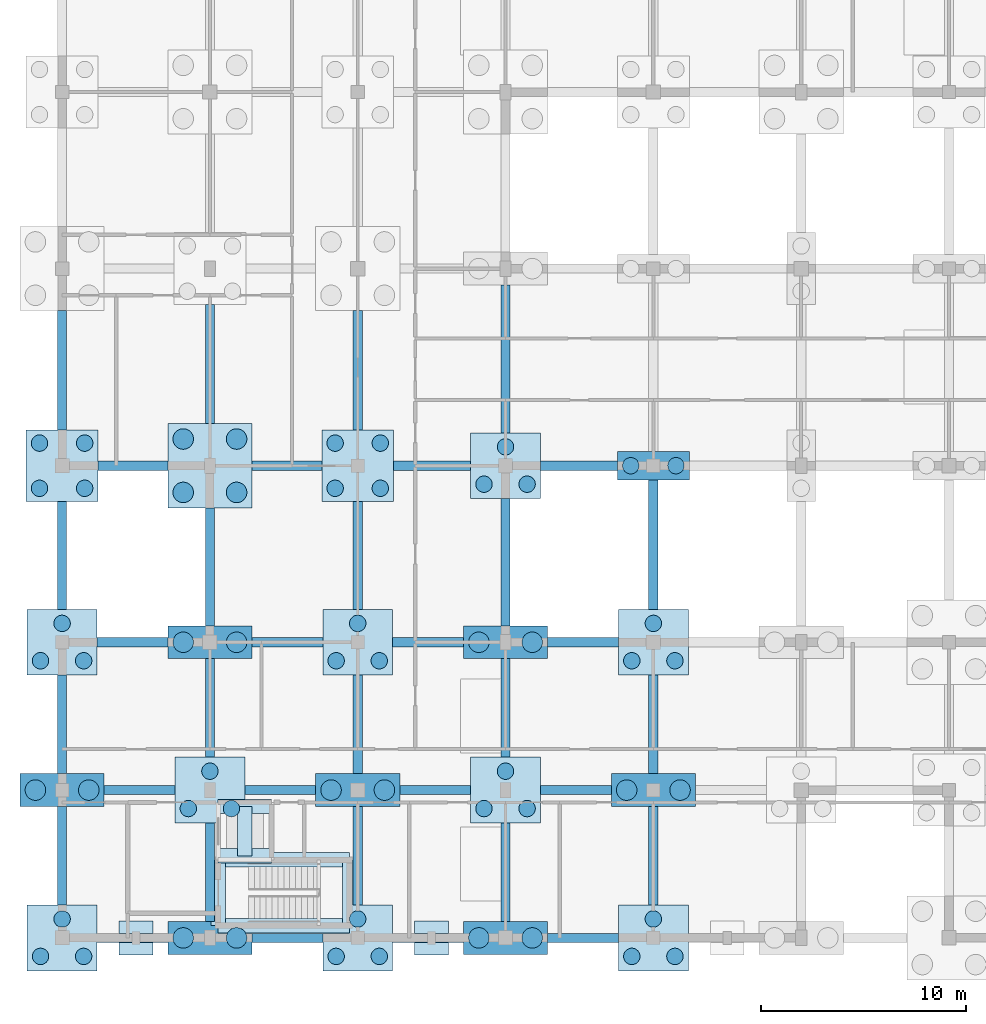
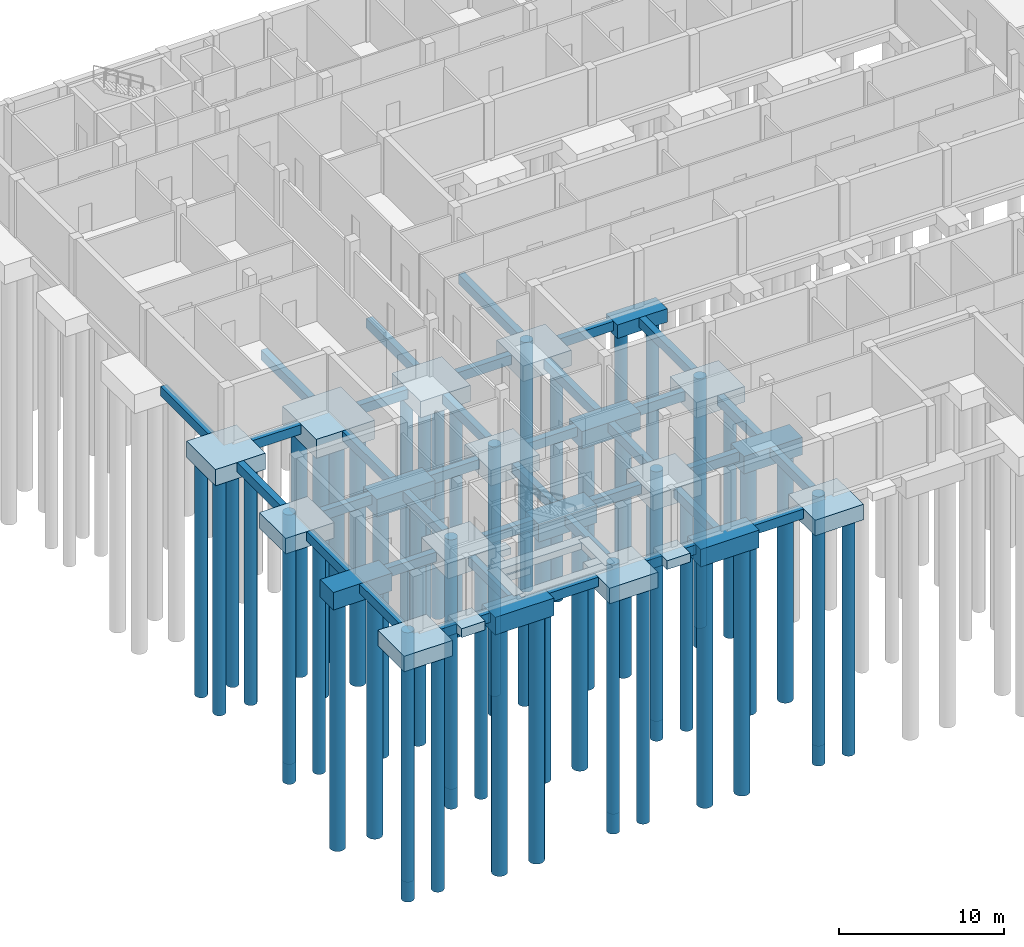
# One storey, part 1 of 17: 64 footings, 55 piles.
"""IFC4 building model written with IfcOpenShell, lengths in metres."""

import ifcopenshell
import ifcopenshell.guid

model = None  # the IFC model being written
_history = None  # IfcOwnerHistory: only IFC2X3 demands one
_inside = {}  # id of a spatial element -> (the spatial element, [elements in it])
_under = {}  # id of a project, library or spatial element -> (it, [spatial elements below it])
_declared = {}  # id of a project -> (the project, [libraries it declares])
_typed = {}  # id of a type object -> (the type object, [elements of that type])
_made_of = {}  # id of a material, layer set ... -> (it, [elements and type objects made of it])


def new_model(schema):
    """Start an empty IFC model of exactly this schema.

    Asked for "IFC4X3", IfcOpenShell would pick the latest addendum, in which some entities
    have other attributes; the version numbers below select the first issue.
    IFC2X3 requires an IfcOwnerHistory on every rooted entity: one is made here for all.
    """
    global model, _history
    if schema == "IFC4X3":
        model = ifcopenshell.file(schema_version=(4, 3, 0, 0))
    else:
        model = ifcopenshell.file(schema=schema)
    _inside.clear()
    _under.clear()
    _declared.clear()
    _typed.clear()
    _made_of.clear()
    _history = None
    if model.schema == "IFC2X3":
        org = make("IfcOrganization", Name="unknown")
        user = make(
            "IfcPersonAndOrganization",
            ThePerson=make("IfcPerson", FamilyName="unknown"),
            TheOrganization=org,
        )
        app = make(
            "IfcApplication",
            ApplicationDeveloper=org,
            Version="unknown",
            ApplicationFullName="unknown",
            ApplicationIdentifier="unknown",
        )
        _history = make(
            "IfcOwnerHistory",
            OwningUser=user,
            OwningApplication=app,
            ChangeAction="ADDED",
            CreationDate=0,
        )
    return model


def make(cls, **values):
    """One entity of the class cls with the attributes given. An attribute that is None is left unset."""
    return model.create_entity(
        cls, **{name: value for name, value in values.items() if value is not None}
    )


def rooted(cls, **values):
    """An entity with a GlobalId (a new one), such as an element, a storey or a relation."""
    return make(cls, GlobalId=ifcopenshell.guid.new(), OwnerHistory=_history, **values)


def si_unit(unit_type, name, prefix=None):
    """IfcSIUnit, for example si_unit("LENGTHUNIT", "METRE", prefix="MILLI")."""
    return make("IfcSIUnit", UnitType=unit_type, Prefix=prefix, Name=name)


def assignment(units):
    """IfcUnitAssignment: the units of a project."""
    return None if units is None else make("IfcUnitAssignment", Units=units)


def point(xyz):
    """IfcCartesianPoint."""
    return None if xyz is None else make("IfcCartesianPoint", Coordinates=xyz)


def direction(xyz):
    """IfcDirection."""
    return None if xyz is None else make("IfcDirection", DirectionRatios=xyz)


def frame(location, z_axis=None, x_axis=None):
    """IfcAxis2Placement3D, a coordinate frame: its origin and axes. An axis left out is left unset."""
    return make(
        "IfcAxis2Placement3D",
        Location=point(location),
        Axis=direction(z_axis),
        RefDirection=direction(x_axis),
    )


def frame_2d(location, x_axis=None):
    """IfcAxis2Placement2D, a coordinate frame in the plane: its origin and x axis."""
    return make(
        "IfcAxis2Placement2D", Location=point(location), RefDirection=direction(x_axis)
    )


def origin():
    """The frame at (0, 0, 0) with its axes left unset."""
    return frame((0.0, 0.0, 0.0))


def origin_2d():
    """The frame at (0, 0) in the plane with its x axis left unset."""
    return frame_2d((0.0, 0.0))


def place(relative_to, where):
    """IfcLocalPlacement: puts the frame where relative to a parent placement (None: the world)."""
    return make(
        "IfcLocalPlacement", PlacementRelTo=relative_to, RelativePlacement=where
    )


def context(
    kind, dimensions, precision=None, world=None, true_north=None, identifier=None
):
    """IfcGeometricRepresentationContext, for example the 3D "Model" context."""
    return make(
        "IfcGeometricRepresentationContext",
        ContextIdentifier=identifier,
        ContextType=kind,
        CoordinateSpaceDimension=dimensions,
        Precision=precision,
        WorldCoordinateSystem=world,
        TrueNorth=true_north,
    )


def subcontext(parent, identifier, kind, view, scale=None):
    """IfcGeometricRepresentationSubContext, for example "Body" below "Model"."""
    return make(
        "IfcGeometricRepresentationSubContext",
        ContextIdentifier=identifier,
        ContextType=kind,
        ParentContext=parent,
        TargetScale=scale,
        TargetView=view,
    )


def project(units=None, contexts=None):
    """IfcProject with its units and contexts."""
    return rooted(
        "IfcProject",
        Name="project",
        RepresentationContexts=contexts,
        UnitsInContext=assignment(units),
    )


def spatial(cls, under=None, at=None, **own):
    """A site, building, storey or space (cls), placed at a placement, below another one or the project."""
    s = rooted(cls, ObjectPlacement=at, **own)
    if under is not None:
        _under.setdefault(under.id(), (under, []))[1].append(s)
    return s


def profile(cls, at=None, kind="AREA", **sizes):
    """A parametric profile (cls). Its sizes go by their IFC names, for example OverallWidth=200.0."""
    return make(cls, ProfileType=kind, Position=at, **sizes)


def rectangle(**sizes):
    """IfcRectangleProfileDef."""
    return profile("IfcRectangleProfileDef", **sizes)


def circle(**sizes):
    """IfcCircleProfileDef."""
    return profile("IfcCircleProfileDef", **sizes)


def extrude(swept, where, along, depth):
    """IfcExtrudedAreaSolid: the profile swept, set in the frame where, extruded along a direction by depth."""
    return make(
        "IfcExtrudedAreaSolid",
        SweptArea=swept,
        Position=where,
        ExtrudedDirection=direction(along),
        Depth=depth,
    )


def shape(context_of_items, identifier, shape_type, items):
    """IfcShapeRepresentation: the items that make up one representation, for example the "Body"."""
    return make(
        "IfcShapeRepresentation",
        ContextOfItems=context_of_items,
        RepresentationIdentifier=identifier,
        RepresentationType=shape_type,
        Items=items,
    )


def material(Name=None, Category=None):
    """IfcMaterial."""
    return make("IfcMaterial", Name=Name, Category=Category)


def layer(
    of_material, thickness, ventilated=None, Name=None, Category=None, Priority=None
):
    """IfcMaterialLayer: one layer of a wall or slab, of a material (None: an air gap)."""
    return make(
        "IfcMaterialLayer",
        Material=of_material,
        LayerThickness=thickness,
        IsVentilated=ventilated,
        Name=Name,
        Category=Category,
        Priority=Priority,
    )


def layer_set(layers, Name=None):
    """IfcMaterialLayerSet."""
    return make("IfcMaterialLayerSet", MaterialLayers=layers, LayerSetName=Name)


def material_profile(
    of_material, cross_section, Name=None, Category=None, Priority=None
):
    """IfcMaterialProfile: a cross section and its material."""
    return make(
        "IfcMaterialProfile",
        Name=Name,
        Material=of_material,
        Profile=cross_section,
        Priority=Priority,
        Category=Category,
    )


def profile_set(profiles, Name=None, composite=None):
    """IfcMaterialProfileSet."""
    return make(
        "IfcMaterialProfileSet",
        Name=Name,
        MaterialProfiles=profiles,
        CompositeProfile=composite,
    )


def made_of(thing, what):
    """Note that an element or type object is made of a material, layer set ...; save() writes the relation."""
    if what is not None:
        _made_of.setdefault(what.id(), (what, []))[1].append(thing)
    return thing


def type_object(cls, material=None, **own):
    """A type object (cls), such as IfcWallType, which elements share."""
    return made_of(rooted(cls, **own), material)


def element(
    cls,
    number,
    at=None,
    inside=None,
    cuts=None,
    type_object=None,
    material=None,
    context=None,
    identifier="Body",
    shape_type=None,
    held_by="IfcProductDefinitionShape",
    body=None,
    shapes=None,
    **own,
):
    """One element of the class cls, such as IfcWall. Its Tag is "e" and its number.

    at: its placement. inside: the storey or other place that contains it. cuts: it is an
    opening in that element (IfcRelVoidsElement). A single representation is given by context,
    identifier, shape_type and body (its items); several are given by shapes. held_by: the class
    of the entity that holds the representations. save() writes the other relations.
    """
    e = rooted(cls, Tag="e%d" % number, ObjectPlacement=at, **own)
    if body is not None:
        shapes = [shape(context, identifier, shape_type, body)]
    if shapes is not None:
        e.Representation = make(held_by, Representations=shapes)
    if inside is not None:
        _inside.setdefault(inside.id(), (inside, []))[1].append(e)
    if cuts is not None:
        rooted(
            "IfcRelVoidsElement", RelatingBuildingElement=cuts, RelatedOpeningElement=e
        )
    if type_object is not None:
        _typed.setdefault(type_object.id(), (type_object, []))[1].append(e)
    return made_of(e, material)


def aggregate(whole, parts):
    """IfcRelAggregates: a whole, such as a stair, and the parts it consists of."""
    return rooted("IfcRelAggregates", RelatingObject=whole, RelatedObjects=parts)


def save(model, path):
    """Write the relations noted so far, then the file.

    IfcRelAggregates (storeys below a building ...), IfcRelContainedInSpatialStructure (elements
    in a storey), IfcRelDefinesByType, IfcRelAssociatesMaterial and IfcRelDeclares: one each for
    every whole, place, type object, material and project.
    """
    for whole, parts in _under.values():
        aggregate(whole, parts)
    for where, things in _inside.values():
        rooted(
            "IfcRelContainedInSpatialStructure",
            RelatedElements=things,
            RelatingStructure=where,
        )
    for kind, things in _typed.values():
        rooted("IfcRelDefinesByType", RelatedObjects=things, RelatingType=kind)
    for what, things in _made_of.values():
        rooted("IfcRelAssociatesMaterial", RelatedObjects=things, RelatingMaterial=what)
    for by, libraries in _declared.values():
        rooted("IfcRelDeclares", RelatingContext=by, RelatedDefinitions=libraries)
    model.write(path)


model = new_model("IFC4")

# Units and contexts
model_context = context("Model", 3, precision=1e-05, world=origin(), true_north=direction((0.0, 1.0)))
body_context = subcontext(model_context, "Body", "Model", "MODEL_VIEW")
ifc_project = project(units=[si_unit("LENGTHUNIT", "METRE"), si_unit("AREAUNIT", "SQUARE_METRE"), si_unit("VOLUMEUNIT", "CUBIC_METRE"), si_unit("PLANEANGLEUNIT", "RADIAN"), si_unit("MASSUNIT", "GRAM", prefix="KILO")], contexts=[model_context])

# Site, building, storey
site_placement = place(None, origin())
site = spatial("IfcSite", under=ifc_project, at=site_placement, CompositionType="ELEMENT")
building_placement = place(site_placement, origin())
building = spatial("IfcBuilding", under=site, at=building_placement, Name="Hawrajan Terrace Health Centre", CompositionType="ELEMENT")
storey_placement = place(building_placement, frame((0.0, 0.0, -4.5)))
storey = spatial("IfcBuildingStorey", under=building, at=storey_placement, Name="B1", CompositionType="ELEMENT", Elevation=-4.5)

# Piles
ifc_material = material(Name="Concrete C40/50", Category="concrete")
ifc_material_profile_1 = material_profile(ifc_material, circle(Radius=0.5, at=origin_2d()), Name="BP 1000")
ifc_profile_set_1 = profile_set([ifc_material_profile_1], Name="Concrete C40/50")
pile_type_1 = type_object("IfcPileType", Name="BoredPile_1000", PredefinedType="BORED", material=ifc_profile_set_1)
for number, where, z_axis, x_axis, name in (
    (1, (3.300048828125, 11.39990234375, -0.550048828125), (0.0, 0.0, -1.0), (1.0, 0.0, 0.0), "Bored pile P-004"),
    (2, (5.89990234375, 11.39990234375, -0.550048828125), (0.0, 0.0, -1.0), (1.0, 0.0, 0.0), "Bored pile P-005"),
    (3, (10.5, 4.199951171875, -0.550048828125), (0.0, 0.0, -1.0), (1.0, 0.0, 0.0), "Bored pile P-029"),
    (4, (13.10009765625, 4.199951171875, -0.550048828125), (0.0, 0.0, -1.0), (1.0, 0.0, 0.0), "Bored pile P-030"),
    (5, (10.5, 18.60009765625, -0.550048828125), (0.0, 0.0, -1.0), (1.0, 0.0, 0.0), "Bored pile P-034"),
    (6, (13.10009765625, 18.60009765625, -0.550048828125), (0.0, 0.0, -1.0), (1.0, 0.0, 0.0), "Bored pile P-035"),
    (7, (10.5, 25.89990234375, -0.550048828125), (0.0, 0.0, -1.0), (1.0, 0.0, 0.0), "Bored pile P-036"),
    (8, (13.10009765625, 25.89990234375, -0.550048828125), (0.0, 0.0, -1.0), (1.0, 0.0, 0.0), "Bored pile P-037"),
    (9, (10.5, 28.5, -0.550048828125), (0.0, 0.0, -1.0), (1.0, 0.0, 0.0), "Bored pile P-038"),
    (10, (13.10009765625, 28.5, -0.550048828125), (0.0, 0.0, -1.0), (1.0, 0.0, 0.0), "Bored pile P-039"),
    (11, (17.699951171875, 11.39990234375, -0.550048828125), (0.0, 0.0, -1.0), (1.0, 0.0, 0.0), "Bored pile P-059"),
    (12, (20.300048828125, 11.39990234375, -0.550048828125), (0.0, 0.0, -1.0), (1.0, 0.0, 0.0), "Bored pile P-060"),
    (13, (24.89990234375, 4.199951171875, -0.550048828125), (0.0, 0.0, -1.0), (1.0, 0.0, 0.0), "Bored pile P-084"),
    (14, (27.5, 4.199951171875, -0.550048828125), (0.0, 0.0, -1.0), (1.0, 0.0, 0.0), "Bored pile P-085"),
    (15, (24.89990234375, 18.60009765625, -0.550048828125), (0.0, 0.0, -1.0), (1.0, 0.0, 0.0), "Bored pile P-089"),
    (16, (27.5, 18.60009765625, -0.550048828125), (0.0, 0.0, -1.0), (1.0, 0.0, 0.0), "Bored pile P-090"),
    (17, (32.10009765625, 11.39990234375, -0.550048828125), (0.0, 0.0, -1.0), (1.0, 0.0, 0.0), "Bored pile P-111"),
    (18, (34.699951171875, 11.39990234375, -0.550048828125), (0.0, 0.0, -1.0), (1.0, 0.0, 0.0), "Bored pile P-112"),
):
    element("IfcPile", number, at=place(storey_placement, frame(where, z_axis=z_axis, x_axis=x_axis)), inside=storey, type_object=pile_type_1, Name=name, PredefinedType="BORED", context=body_context, shape_type="SweptSolid", body=[
        extrude(circle(Radius=0.5, at=origin_2d()), origin(), (0.0, 0.0, 1.0), 19.5),
    ])
ifc_material_profile_2 = material_profile(ifc_material, circle(Radius=0.39990234375, at=origin_2d()), Name="BP 800")
ifc_profile_set_2 = profile_set([ifc_material_profile_2], Name="Concrete C40/50")
pile_type_2 = type_object("IfcPileType", Name="BoredPile_800", PredefinedType="BORED", material=ifc_profile_set_2)
for number, where, z_axis, x_axis, name in (
    (19, (3.550048828125, 3.300048828125, -0.550048828125), (0.0, 0.0, -1.0), (1.0, 0.0, 0.0), "Bored pile P-001"),
    (20, (5.64990234375, 3.300048828125, -0.550048828125), (0.0, 0.0, -1.0), (1.0, 0.0, 0.0), "Bored pile P-002"),
    (21, (4.60009765625, 5.1201171875, -0.550048828125), (0.0, 0.0, -1.0), (1.0, 0.0, 0.0), "Bored pile P-003"),
    (22, (3.550048828125, 17.699951171875, -0.550048828125), (0.0, 0.0, -1.0), (1.0, 0.0, 0.0), "Bored pile P-006"),
    (23, (5.64990234375, 17.699951171875, -0.550048828125), (0.0, 0.0, -1.0), (1.0, 0.0, 0.0), "Bored pile P-007"),
    (24, (4.60009765625, 19.52001953125, -0.550048828125), (0.0, 0.0, -1.0), (1.0, 0.0, 0.0), "Bored pile P-008"),
    (25, (3.5, 26.10009765625, -0.550048828125), (0.0, 0.0, -1.0), (1.0, 0.0, 0.0), "Bored pile P-009"),
    (26, (5.699951171875, 26.10009765625, -0.550048828125), (0.0, 0.0, -1.0), (1.0, 0.0, 0.0), "Bored pile P-010"),
    (27, (3.5, 28.300048828125, -0.550048828125), (0.0, 0.0, -1.0), (1.0, 0.0, 0.0), "Bored pile P-011"),
    (28, (5.699951171875, 28.300048828125, -0.550048828125), (0.0, 0.0, -1.0), (1.0, 0.0, 0.0), "Bored pile P-012"),
    (29, (10.75, 10.5, -0.550048828125), (0.0, 0.0, -1.0), (1.0, 0.0, 0.0), "Bored pile P-031"),
    (30, (12.85009765625, 10.5, -0.550048828125), (0.0, 0.0, -1.0), (1.0, 0.0, 0.0), "Bored pile P-032"),
    (31, (11.800048828125, 12.320068359375, -0.550048828125), (0.0, 0.0, -1.0), (1.0, 0.0, 0.0), "Bored pile P-033"),
    (32, (17.949951171875, 3.300048828125, -0.550048828125), (0.0, 0.0, -1.0), (1.0, 0.0, 0.0), "Bored pile P-056"),
    (33, (20.050048828125, 3.300048828125, -0.550048828125), (0.0, 0.0, -1.0), (1.0, 0.0, 0.0), "Bored pile P-057"),
    (34, (19.0, 5.1201171875, -0.550048828125), (0.0, 0.0, -1.0), (1.0, 0.0, 0.0), "Bored pile P-058"),
    (35, (17.949951171875, 17.699951171875, -0.550048828125), (0.0, 0.0, -1.0), (1.0, 0.0, 0.0), "Bored pile P-061"),
    (36, (20.050048828125, 17.699951171875, -0.550048828125), (0.0, 0.0, -1.0), (1.0, 0.0, 0.0), "Bored pile P-062"),
    (37, (19.0, 19.52001953125, -0.550048828125), (0.0, 0.0, -1.0), (1.0, 0.0, 0.0), "Bored pile P-063"),
    (38, (17.89990234375, 26.10009765625, -0.550048828125), (0.0, 0.0, -1.0), (1.0, 0.0, 0.0), "Bored pile P-064"),
    (39, (20.10009765625, 26.10009765625, -0.550048828125), (0.0, 0.0, -1.0), (1.0, 0.0, 0.0), "Bored pile P-065"),
    (40, (17.89990234375, 28.300048828125, -0.550048828125), (0.0, 0.0, -1.0), (1.0, 0.0, 0.0), "Bored pile P-066"),
    (41, (20.10009765625, 28.300048828125, -0.550048828125), (0.0, 0.0, -1.0), (1.0, 0.0, 0.0), "Bored pile P-067"),
    (42, (25.14990234375, 10.5, -0.550048828125), (0.0, 0.0, -1.0), (1.0, 0.0, 0.0), "Bored pile P-086"),
    (43, (27.25, 10.5, -0.550048828125), (0.0, 0.0, -1.0), (1.0, 0.0, 0.0), "Bored pile P-087"),
    (44, (26.199951171875, 12.320068359375, -0.550048828125), (0.0, 0.0, -1.0), (1.0, 0.0, 0.0), "Bored pile P-088"),
    (45, (25.14990234375, 26.300048828125, -0.550048828125), (0.0, 0.0, -1.0), (1.0, 0.0, 0.0), "Bored pile P-091"),
    (46, (27.25, 26.300048828125, -0.550048828125), (0.0, 0.0, -1.0), (1.0, 0.0, 0.0), "Bored pile P-092"),
    (47, (26.199951171875, 28.1201171875, -0.550048828125), (0.0, 0.0, -1.0), (1.0, 0.0, 0.0), "Bored pile P-093"),
    (48, (32.35009765625, 3.300048828125, -0.550048828125), (0.0, 0.0, -1.0), (1.0, 0.0, 0.0), "Bored pile P-108"),
    (49, (34.449951171875, 3.300048828125, -0.550048828125), (0.0, 0.0, -1.0), (1.0, 0.0, 0.0), "Bored pile P-109"),
    (50, (33.39990234375, 5.1201171875, -0.550048828125), (0.0, 0.0, -1.0), (1.0, 0.0, 0.0), "Bored pile P-110"),
    (51, (32.35009765625, 17.699951171875, -0.550048828125), (0.0, 0.0, -1.0), (1.0, 0.0, 0.0), "Bored pile P-113"),
    (52, (34.449951171875, 17.699951171875, -0.550048828125), (0.0, 0.0, -1.0), (1.0, 0.0, 0.0), "Bored pile P-114"),
    (53, (33.39990234375, 19.52001953125, -0.550048828125), (0.0, 0.0, -1.0), (1.0, 0.0, 0.0), "Bored pile P-115"),
    (54, (32.300048828125, 27.199951171875, -0.550048828125), (0.0, 0.0, -1.0), (1.0, 0.0, 0.0), "Bored pile P-116"),
    (55, (34.5, 27.199951171875, -0.550048828125), (0.0, 0.0, -1.0), (1.0, 0.0, 0.0), "Bored pile P-117"),
):
    element("IfcPile", number, at=place(storey_placement, frame(where, z_axis=z_axis, x_axis=x_axis)), inside=storey, type_object=pile_type_2, Name=name, PredefinedType="BORED", context=body_context, shape_type="SweptSolid", body=[
        extrude(circle(Radius=0.39990234375, at=origin_2d()), origin(), (0.0, 0.0, 1.0), 18.5),
    ])

# Footings
ifc_material_profile_3 = material_profile(ifc_material, rectangle(XDim=0.449951171875, YDim=0.699951171875, at=origin_2d()), Name="RC BM 450x700")
ifc_profile_set_3 = profile_set([ifc_material_profile_3], Name="Concrete C40/50")
footing_type_1 = type_object("IfcFootingType", Name="GroundBeam_450x700", PredefinedType="FOOTING_BEAM", material=ifc_profile_set_3)
footing_1_placement = place(storey_placement, frame((6.300048828125, 4.199951171875, -0.800048828125), z_axis=(1.0, 0.0, 0.0), x_axis=(0.0, 1.0, 0.0)))
element("IfcFooting", 56, at=footing_1_placement, inside=storey, type_object=footing_type_1, Name="Ground tie beam GB-X-W-01-1", PredefinedType="FOOTING_BEAM", context=body_context, shape_type="SweptSolid", body=[
    extrude(rectangle(XDim=0.449951171875, YDim=0.699951171875, at=origin_2d()), origin(), (0.0, 0.0, 1.0), 3.449951171875),
])
footing_2_placement = place(storey_placement, frame((4.60009765625, 5.800048828125, -0.800048828125), z_axis=(0.0, 1.0, 0.0), x_axis=(-1.0, 0.0, 0.0)))
element("IfcFooting", 57, at=footing_2_placement, inside=storey, type_object=footing_type_1, Name="Ground tie beam GB-Y-W-01-1", PredefinedType="FOOTING_BEAM", context=body_context, shape_type="SweptSolid", body=[
    extrude(rectangle(XDim=0.449951171875, YDim=0.699951171875, at=origin_2d()), origin(), (0.0, 0.0, 1.0), 4.800048828125),
])
footing_3_placement = place(storey_placement, frame((6.64990234375, 11.39990234375, -0.800048828125), z_axis=(1.0, 0.0, 0.0), x_axis=(0.0, 1.0, 0.0)))
element("IfcFooting", 58, at=footing_3_placement, inside=storey, type_object=footing_type_1, Name="Ground tie beam GB-X-W-01-2", PredefinedType="FOOTING_BEAM", context=body_context, shape_type="SweptSolid", body=[
    extrude(rectangle(XDim=0.449951171875, YDim=0.699951171875, at=origin_2d()), origin(), (0.0, 0.0, 1.0), 3.4501953125),
])
footing_4_placement = place(storey_placement, frame((4.60009765625, 12.199951171875, -0.800048828125), z_axis=(0.0, 1.0, 0.0), x_axis=(-1.0, 0.0, 0.0)))
element("IfcFooting", 59, at=footing_4_placement, inside=storey, type_object=footing_type_1, Name="Ground tie beam GB-Y-W-01-2", PredefinedType="FOOTING_BEAM", context=body_context, shape_type="SweptSolid", body=[
    extrude(rectangle(XDim=0.449951171875, YDim=0.699951171875, at=origin_2d()), origin(), (0.0, 0.0, 1.0), 4.800048828125),
])
footing_5_placement = place(storey_placement, frame((6.300048828125, 18.60009765625, -0.800048828125), z_axis=(1.0, 0.0, 0.0), x_axis=(0.0, 1.0, 0.0)))
element("IfcFooting", 60, at=footing_5_placement, inside=storey, type_object=footing_type_1, Name="Ground tie beam GB-X-W-01-3", PredefinedType="FOOTING_BEAM", context=body_context, shape_type="SweptSolid", body=[
    extrude(rectangle(XDim=0.449951171875, YDim=0.699951171875, at=origin_2d()), origin(), (0.0, 0.0, 1.0), 3.449951171875),
])
footing_6_placement = place(storey_placement, frame((4.60009765625, 20.199951171875, -0.800048828125), z_axis=(0.0, 1.0, 0.0), x_axis=(-1.0, 0.0, 0.0)))
element("IfcFooting", 61, at=footing_6_placement, inside=storey, type_object=footing_type_1, Name="Ground tie beam GB-Y-W-01-3", PredefinedType="FOOTING_BEAM", context=body_context, shape_type="SweptSolid", body=[
    extrude(rectangle(XDim=0.449951171875, YDim=0.699951171875, at=origin_2d()), origin(), (0.0, 0.0, 1.0), 5.25),
])
footing_7_placement = place(storey_placement, frame((6.35009765625, 27.199951171875, -0.800048828125), z_axis=(1.0, 0.0, 0.0), x_axis=(0.0, 1.0, 0.0)))
element("IfcFooting", 62, at=footing_7_placement, inside=storey, type_object=footing_type_1, Name="Ground tie beam GB-X-W-01-4", PredefinedType="FOOTING_BEAM", context=body_context, shape_type="SweptSolid", body=[
    extrude(rectangle(XDim=0.449951171875, YDim=0.699951171875, at=origin_2d()), origin(), (0.0, 0.0, 1.0), 3.39990234375),
])
footing_8_placement = place(storey_placement, frame((4.60009765625, 28.949951171875, -0.800048828125), z_axis=(0.0, 1.0, 0.0), x_axis=(-1.0, 0.0, 0.0)))
element("IfcFooting", 63, at=footing_8_placement, inside=storey, type_object=footing_type_1, Name="Ground tie beam GB-Y-W-01-4", PredefinedType="FOOTING_BEAM", context=body_context, shape_type="SweptSolid", body=[
    extrude(rectangle(XDim=0.449951171875, YDim=0.699951171875, at=origin_2d()), origin(), (0.0, 0.0, 1.0), 5.800048828125),
])
footing_9_placement = place(storey_placement, frame((13.85009765625, 4.199951171875, -0.800048828125), z_axis=(1.0, 0.0, 0.0), x_axis=(0.0, 1.0, 0.0)))
element("IfcFooting", 64, at=footing_9_placement, inside=storey, type_object=footing_type_1, Name="Ground tie beam GB-X-W-02-1", PredefinedType="FOOTING_BEAM", context=body_context, shape_type="SweptSolid", body=[
    extrude(rectangle(XDim=0.449951171875, YDim=0.699951171875, at=origin_2d()), origin(), (0.0, 0.0, 1.0), 3.449951171875),
])
footing_10_placement = place(storey_placement, frame((11.800048828125, 5.0, -0.800048828125), z_axis=(0.0, 1.0, 0.0), x_axis=(-1.0, 0.0, 0.0)))
element("IfcFooting", 65, at=footing_10_placement, inside=storey, type_object=footing_type_1, Name="Ground tie beam GB-Y-W-02-1", PredefinedType="FOOTING_BEAM", context=body_context, shape_type="SweptSolid", body=[
    extrude(rectangle(XDim=0.449951171875, YDim=0.699951171875, at=origin_2d()), origin(), (0.0, 0.0, 1.0), 4.800048828125),
])
footing_11_placement = place(storey_placement, frame((13.5, 11.39990234375, -0.800048828125), z_axis=(1.0, 0.0, 0.0), x_axis=(0.0, 1.0, 0.0)))
element("IfcFooting", 66, at=footing_11_placement, inside=storey, type_object=footing_type_1, Name="Ground tie beam GB-X-W-02-2", PredefinedType="FOOTING_BEAM", context=body_context, shape_type="SweptSolid", body=[
    extrude(rectangle(XDim=0.449951171875, YDim=0.699951171875, at=origin_2d()), origin(), (0.0, 0.0, 1.0), 3.449951171875),
])
footing_12_placement = place(storey_placement, frame((11.800048828125, 13.0, -0.800048828125), z_axis=(0.0, 1.0, 0.0), x_axis=(-1.0, 0.0, 0.0)))
element("IfcFooting", 67, at=footing_12_placement, inside=storey, type_object=footing_type_1, Name="Ground tie beam GB-Y-W-02-2", PredefinedType="FOOTING_BEAM", context=body_context, shape_type="SweptSolid", body=[
    extrude(rectangle(XDim=0.449951171875, YDim=0.699951171875, at=origin_2d()), origin(), (0.0, 0.0, 1.0), 4.800048828125),
])
footing_13_placement = place(storey_placement, frame((13.85009765625, 18.60009765625, -0.800048828125), z_axis=(1.0, 0.0, 0.0), x_axis=(0.0, 1.0, 0.0)))
element("IfcFooting", 68, at=footing_13_placement, inside=storey, type_object=footing_type_1, Name="Ground tie beam GB-X-W-02-3", PredefinedType="FOOTING_BEAM", context=body_context, shape_type="SweptSolid", body=[
    extrude(rectangle(XDim=0.449951171875, YDim=0.699951171875, at=origin_2d()), origin(), (0.0, 0.0, 1.0), 3.449951171875),
])
footing_14_placement = place(storey_placement, frame((11.800048828125, 19.39990234375, -0.800048828125), z_axis=(0.0, 1.0, 0.0), x_axis=(-1.0, 0.0, 0.0)))
element("IfcFooting", 69, at=footing_14_placement, inside=storey, type_object=footing_type_1, Name="Ground tie beam GB-Y-W-02-3", PredefinedType="FOOTING_BEAM", context=body_context, shape_type="SweptSolid", body=[
    extrude(rectangle(XDim=0.449951171875, YDim=0.699951171875, at=origin_2d()), origin(), (0.0, 0.0, 1.0), 5.75),
])
footing_15_placement = place(storey_placement, frame((13.85009765625, 27.199951171875, -0.800048828125), z_axis=(1.0, 0.0, 0.0), x_axis=(0.0, 1.0, 0.0)))
element("IfcFooting", 70, at=footing_15_placement, inside=storey, type_object=footing_type_1, Name="Ground tie beam GB-X-W-02-4", PredefinedType="FOOTING_BEAM", context=body_context, shape_type="SweptSolid", body=[
    extrude(rectangle(XDim=0.449951171875, YDim=0.699951171875, at=origin_2d()), origin(), (0.0, 0.0, 1.0), 3.39990234375),
])
footing_16_placement = place(storey_placement, frame((11.800048828125, 29.25, -0.800048828125), z_axis=(0.0, 1.0, 0.0), x_axis=(-1.0, 0.0, 0.0)))
element("IfcFooting", 71, at=footing_16_placement, inside=storey, type_object=footing_type_1, Name="Ground tie beam GB-Y-W-02-4", PredefinedType="FOOTING_BEAM", context=body_context, shape_type="SweptSolid", body=[
    extrude(rectangle(XDim=0.449951171875, YDim=0.699951171875, at=origin_2d()), origin(), (0.0, 0.0, 1.0), 5.800048828125),
])
footing_17_placement = place(storey_placement, frame((20.699951171875, 4.199951171875, -0.800048828125), z_axis=(1.0, 0.0, 0.0), x_axis=(0.0, 1.0, 0.0)))
element("IfcFooting", 72, at=footing_17_placement, inside=storey, type_object=footing_type_1, Name="Ground tie beam GB-X-W-03-1", PredefinedType="FOOTING_BEAM", context=body_context, shape_type="SweptSolid", body=[
    extrude(rectangle(XDim=0.449951171875, YDim=0.699951171875, at=origin_2d()), origin(), (0.0, 0.0, 1.0), 3.449951171875),
])
footing_18_placement = place(storey_placement, frame((19.0, 5.800048828125, -0.800048828125), z_axis=(0.0, 1.0, 0.0), x_axis=(-1.0, 0.0, 0.0)))
element("IfcFooting", 73, at=footing_18_placement, inside=storey, type_object=footing_type_1, Name="Ground tie beam GB-Y-W-03-1", PredefinedType="FOOTING_BEAM", context=body_context, shape_type="SweptSolid", body=[
    extrude(rectangle(XDim=0.449951171875, YDim=0.699951171875, at=origin_2d()), origin(), (0.0, 0.0, 1.0), 4.800048828125),
])
footing_19_placement = place(storey_placement, frame((21.050048828125, 11.39990234375, -0.800048828125), z_axis=(1.0, 0.0, 0.0), x_axis=(0.0, 1.0, 0.0)))
element("IfcFooting", 74, at=footing_19_placement, inside=storey, type_object=footing_type_1, Name="Ground tie beam GB-X-W-03-2", PredefinedType="FOOTING_BEAM", context=body_context, shape_type="SweptSolid", body=[
    extrude(rectangle(XDim=0.449951171875, YDim=0.699951171875, at=origin_2d()), origin(), (0.0, 0.0, 1.0), 3.449951171875),
])
footing_20_placement = place(storey_placement, frame((19.0, 12.199951171875, -0.800048828125), z_axis=(0.0, 1.0, 0.0), x_axis=(-1.0, 0.0, 0.0)))
element("IfcFooting", 75, at=footing_20_placement, inside=storey, type_object=footing_type_1, Name="Ground tie beam GB-Y-W-03-2", PredefinedType="FOOTING_BEAM", context=body_context, shape_type="SweptSolid", body=[
    extrude(rectangle(XDim=0.449951171875, YDim=0.699951171875, at=origin_2d()), origin(), (0.0, 0.0, 1.0), 4.800048828125),
])
footing_21_placement = place(storey_placement, frame((20.699951171875, 18.60009765625, -0.800048828125), z_axis=(1.0, 0.0, 0.0), x_axis=(0.0, 1.0, 0.0)))
element("IfcFooting", 76, at=footing_21_placement, inside=storey, type_object=footing_type_1, Name="Ground tie beam GB-X-W-03-3", PredefinedType="FOOTING_BEAM", context=body_context, shape_type="SweptSolid", body=[
    extrude(rectangle(XDim=0.449951171875, YDim=0.699951171875, at=origin_2d()), origin(), (0.0, 0.0, 1.0), 3.449951171875),
])
footing_22_placement = place(storey_placement, frame((19.0, 20.199951171875, -0.800048828125), z_axis=(0.0, 1.0, 0.0), x_axis=(-1.0, 0.0, 0.0)))
element("IfcFooting", 77, at=footing_22_placement, inside=storey, type_object=footing_type_1, Name="Ground tie beam GB-Y-W-03-3", PredefinedType="FOOTING_BEAM", context=body_context, shape_type="SweptSolid", body=[
    extrude(rectangle(XDim=0.449951171875, YDim=0.699951171875, at=origin_2d()), origin(), (0.0, 0.0, 1.0), 5.25),
])
footing_23_placement = place(storey_placement, frame((20.75, 27.199951171875, -0.800048828125), z_axis=(1.0, 0.0, 0.0), x_axis=(0.0, 1.0, 0.0)))
element("IfcFooting", 78, at=footing_23_placement, inside=storey, type_object=footing_type_1, Name="Ground tie beam GB-X-W-03-4", PredefinedType="FOOTING_BEAM", context=body_context, shape_type="SweptSolid", body=[
    extrude(rectangle(XDim=0.449951171875, YDim=0.699951171875, at=origin_2d()), origin(), (0.0, 0.0, 1.0), 3.75),
])
footing_24_placement = place(storey_placement, frame((19.0, 28.949951171875, -0.800048828125), z_axis=(0.0, 1.0, 0.0), x_axis=(-1.0, 0.0, 0.0)))
element("IfcFooting", 79, at=footing_24_placement, inside=storey, type_object=footing_type_1, Name="Ground tie beam GB-Y-W-03-4", PredefinedType="FOOTING_BEAM", context=body_context, shape_type="SweptSolid", body=[
    extrude(rectangle(XDim=0.449951171875, YDim=0.699951171875, at=origin_2d()), origin(), (0.0, 0.0, 1.0), 5.800048828125),
])
footing_25_placement = place(storey_placement, frame((28.25, 4.199951171875, -0.800048828125), z_axis=(1.0, 0.0, 0.0), x_axis=(0.0, 1.0, 0.0)))
element("IfcFooting", 80, at=footing_25_placement, inside=storey, type_object=footing_type_1, Name="Ground tie beam GB-X-W-04-1", PredefinedType="FOOTING_BEAM", context=body_context, shape_type="SweptSolid", body=[
    extrude(rectangle(XDim=0.449951171875, YDim=0.699951171875, at=origin_2d()), origin(), (0.0, 0.0, 1.0), 3.449951171875),
])
footing_26_placement = place(storey_placement, frame((26.199951171875, 5.0, -0.800048828125), z_axis=(0.0, 1.0, 0.0), x_axis=(-1.0, 0.0, 0.0)))
element("IfcFooting", 81, at=footing_26_placement, inside=storey, type_object=footing_type_1, Name="Ground tie beam GB-Y-W-04-1", PredefinedType="FOOTING_BEAM", context=body_context, shape_type="SweptSolid", body=[
    extrude(rectangle(XDim=0.449951171875, YDim=0.699951171875, at=origin_2d()), origin(), (0.0, 0.0, 1.0), 4.800048828125),
])
footing_27_placement = place(storey_placement, frame((27.89990234375, 11.39990234375, -0.800048828125), z_axis=(1.0, 0.0, 0.0), x_axis=(0.0, 1.0, 0.0)))
element("IfcFooting", 82, at=footing_27_placement, inside=storey, type_object=footing_type_1, Name="Ground tie beam GB-X-W-04-2", PredefinedType="FOOTING_BEAM", context=body_context, shape_type="SweptSolid", body=[
    extrude(rectangle(XDim=0.449951171875, YDim=0.699951171875, at=origin_2d()), origin(), (0.0, 0.0, 1.0), 3.4501953125),
])
footing_28_placement = place(storey_placement, frame((26.199951171875, 13.0, -0.800048828125), z_axis=(0.0, 1.0, 0.0), x_axis=(-1.0, 0.0, 0.0)))
element("IfcFooting", 83, at=footing_28_placement, inside=storey, type_object=footing_type_1, Name="Ground tie beam GB-Y-W-04-2", PredefinedType="FOOTING_BEAM", context=body_context, shape_type="SweptSolid", body=[
    extrude(rectangle(XDim=0.449951171875, YDim=0.699951171875, at=origin_2d()), origin(), (0.0, 0.0, 1.0), 4.800048828125),
])
footing_29_placement = place(storey_placement, frame((28.25, 18.60009765625, -0.800048828125), z_axis=(1.0, 0.0, 0.0), x_axis=(0.0, 1.0, 0.0)))
element("IfcFooting", 84, at=footing_29_placement, inside=storey, type_object=footing_type_1, Name="Ground tie beam GB-X-W-04-3", PredefinedType="FOOTING_BEAM", context=body_context, shape_type="SweptSolid", body=[
    extrude(rectangle(XDim=0.449951171875, YDim=0.699951171875, at=origin_2d()), origin(), (0.0, 0.0, 1.0), 3.449951171875),
])
footing_30_placement = place(storey_placement, frame((26.199951171875, 19.39990234375, -0.800048828125), z_axis=(0.0, 1.0, 0.0), x_axis=(-1.0, 0.0, 0.0)))
element("IfcFooting", 85, at=footing_30_placement, inside=storey, type_object=footing_type_1, Name="Ground tie beam GB-Y-W-04-3", PredefinedType="FOOTING_BEAM", context=body_context, shape_type="SweptSolid", body=[
    extrude(rectangle(XDim=0.449951171875, YDim=0.699951171875, at=origin_2d()), origin(), (0.0, 0.0, 1.0), 6.2001953125),
])
footing_31_placement = place(storey_placement, frame((27.89990234375, 27.199951171875, -0.800048828125), z_axis=(1.0, 0.0, 0.0), x_axis=(0.0, 1.0, 0.0)))
element("IfcFooting", 86, at=footing_31_placement, inside=storey, type_object=footing_type_1, Name="Ground tie beam GB-X-W-04-4", PredefinedType="FOOTING_BEAM", context=body_context, shape_type="SweptSolid", body=[
    extrude(rectangle(XDim=0.449951171875, YDim=0.699951171875, at=origin_2d()), origin(), (0.0, 0.0, 1.0), 3.75),
])
footing_32_placement = place(storey_placement, frame((26.199951171875, 28.800048828125, -0.800048828125), z_axis=(0.0, 1.0, 0.0), x_axis=(-1.0, 0.0, 0.0)))
element("IfcFooting", 87, at=footing_32_placement, inside=storey, type_object=footing_type_1, Name="Ground tie beam GB-Y-W-04-4", PredefinedType="FOOTING_BEAM", context=body_context, shape_type="SweptSolid", body=[
    extrude(rectangle(XDim=0.449951171875, YDim=0.699951171875, at=origin_2d()), origin(), (0.0, 0.0, 1.0), 7.199951171875),
])
for number, where, z_axis, x_axis, name in (
    (88, (33.39990234375, 5.800048828125, -0.800048828125), (0.0, 1.0, 0.0), (-1.0, 0.0, 0.0), "Ground tie beam GB-Y-W-05-1"),
    (89, (33.39990234375, 12.199951171875, -0.800048828125), (0.0, 1.0, 0.0), (-1.0, 0.0, 0.0), "Ground tie beam GB-Y-W-05-2"),
):
    element("IfcFooting", number, at=place(storey_placement, frame(where, z_axis=z_axis, x_axis=x_axis)), inside=storey, type_object=footing_type_1, Name=name, PredefinedType="FOOTING_BEAM", context=body_context, shape_type="SweptSolid", body=[
        extrude(rectangle(XDim=0.449951171875, YDim=0.699951171875, at=origin_2d()), origin(), (0.0, 0.0, 1.0), 4.800048828125),
    ])
footing_33_placement = place(storey_placement, frame((33.39990234375, 20.199951171875, -0.800048828125), z_axis=(0.0, 1.0, 0.0), x_axis=(-1.0, 0.0, 0.0)))
element("IfcFooting", 90, at=footing_33_placement, inside=storey, type_object=footing_type_1, Name="Ground tie beam GB-Y-W-05-3", PredefinedType="FOOTING_BEAM", context=body_context, shape_type="SweptSolid", body=[
    extrude(rectangle(XDim=0.449951171875, YDim=0.699951171875, at=origin_2d()), origin(), (0.0, 0.0, 1.0), 6.300048828125),
])
ifc_layer_1 = layer(ifc_material, 0.64990234375)
ifc_layer_set_1 = layer_set([ifc_layer_1], Name="Concrete C40/50")
footing_type_2 = type_object("IfcFootingType", Name="PadFooting_1650", PredefinedType="PAD_FOOTING", material=ifc_layer_set_1)
for number, where, z_axis, x_axis, name in (
    (91, (8.199951171875, 4.199951171875, -1.099853515625), (0.0, 0.0, 1.0), (1.0, 0.0, 0.0), "Pilaster pad footing W-01-Y1"),
    (92, (22.60009765625, 4.199951171875, -1.099853515625), (0.0, 0.0, 1.0), (1.0, 0.0, 0.0), "Pilaster pad footing W-03-Y1"),
):
    element("IfcFooting", number, at=place(storey_placement, frame(where, z_axis=z_axis, x_axis=x_axis)), inside=storey, type_object=footing_type_2, Name=name, PredefinedType="PAD_FOOTING", context=body_context, shape_type="SweptSolid", body=[
        extrude(rectangle(XDim=1.64990234375, YDim=1.64990234375, at=origin_2d()), origin(), (0.0, 0.0, 1.0), 0.64990234375),
    ])
ifc_layer_2 = layer(ifc_material, 1.300048828125)
ifc_layer_set_2 = layer_set([ifc_layer_2], Name="Concrete C40/50")
footing_type_3 = type_object("IfcFootingType", Name="PileCap_2P1000_EW", PredefinedType="PILE_CAP", material=ifc_layer_set_2)
for number, where, z_axis, x_axis, name in (
    (93, (4.60009765625, 11.39990234375, -1.75), (0.0, 0.0, 1.0), (1.0, 0.0, 0.0), "Foundation FT-W-X01-Y2"),
    (94, (11.800048828125, 4.199951171875, -1.75), (0.0, 0.0, 1.0), (1.0, 0.0, 0.0), "Foundation FT-W-X02-Y1"),
    (95, (11.800048828125, 18.60009765625, -1.75), (0.0, 0.0, 1.0), (1.0, 0.0, 0.0), "Foundation FT-W-X02-Y3"),
    (96, (19.0, 11.39990234375, -1.75), (0.0, 0.0, 1.0), (1.0, 0.0, 0.0), "Foundation FT-W-X03-Y2"),
    (97, (26.199951171875, 4.199951171875, -1.75), (0.0, 0.0, 1.0), (1.0, 0.0, 0.0), "Foundation FT-W-X04-Y1"),
    (98, (26.199951171875, 18.60009765625, -1.75), (0.0, 0.0, 1.0), (1.0, 0.0, 0.0), "Foundation FT-W-X04-Y3"),
    (99, (33.39990234375, 11.39990234375, -1.75), (0.0, 0.0, 1.0), (1.0, 0.0, 0.0), "Foundation FT-W-X05-Y2"),
):
    element("IfcFooting", number, at=place(storey_placement, frame(where, z_axis=z_axis, x_axis=x_axis)), inside=storey, type_object=footing_type_3, Name=name, PredefinedType="PILE_CAP", context=body_context, shape_type="SweptSolid", body=[
        extrude(rectangle(XDim=4.10009765625, YDim=1.60009765625, at=origin_2d()), origin(), (0.0, 0.0, 1.0), 1.300048828125),
    ])
ifc_layer_3 = layer(ifc_material, 1.0)
ifc_layer_set_3 = layer_set([ifc_layer_3], Name="Concrete C40/50")
footing_type_4 = type_object("IfcFootingType", Name="PileCap_2P800_EW", PredefinedType="PILE_CAP", material=ifc_layer_set_3)
footing_34_placement = place(storey_placement, frame((33.39990234375, 27.199951171875, -1.449951171875), z_axis=(0.0, 0.0, 1.0), x_axis=(1.0, 0.0, 0.0)))
element("IfcFooting", 100, at=footing_34_placement, inside=storey, type_object=footing_type_4, Name="Foundation FT-W-X05-Y4", PredefinedType="PILE_CAP", context=body_context, shape_type="SweptSolid", body=[
    extrude(rectangle(XDim=3.5, YDim=1.39990234375, at=origin_2d()), origin(), (0.0, 0.0, 1.0), 1.0),
])
ifc_layer_4 = layer(ifc_material, 1.14990234375)
ifc_layer_set_4 = layer_set([ifc_layer_4], Name="Concrete C40/50")
footing_type_5 = type_object("IfcFootingType", Name="PileCap_3P800", PredefinedType="PILE_CAP", material=ifc_layer_set_4)
for number, where, z_axis, x_axis, name in (
    (101, (4.60009765625, 4.199951171875, -1.599853515625), (0.0, 0.0, 1.0), (1.0, 0.0, 0.0), "Foundation FT-W-X01-Y1"),
    (102, (4.60009765625, 18.60009765625, -1.599853515625), (0.0, 0.0, 1.0), (1.0, 0.0, 0.0), "Foundation FT-W-X01-Y3"),
    (103, (11.800048828125, 11.39990234375, -1.599853515625), (0.0, 0.0, 1.0), (1.0, 0.0, 0.0), "Foundation FT-W-X02-Y2"),
    (104, (19.0, 4.199951171875, -1.599853515625), (0.0, 0.0, 1.0), (1.0, 0.0, 0.0), "Foundation FT-W-X03-Y1"),
    (105, (19.0, 18.60009765625, -1.599853515625), (0.0, 0.0, 1.0), (1.0, 0.0, 0.0), "Foundation FT-W-X03-Y3"),
    (106, (26.199951171875, 11.39990234375, -1.599853515625), (0.0, 0.0, 1.0), (1.0, 0.0, 0.0), "Foundation FT-W-X04-Y2"),
    (107, (26.199951171875, 27.199951171875, -1.599853515625), (0.0, 0.0, 1.0), (1.0, 0.0, 0.0), "Foundation FT-W-X04-Y4"),
    (108, (33.39990234375, 4.199951171875, -1.599853515625), (0.0, 0.0, 1.0), (1.0, 0.0, 0.0), "Foundation FT-W-X05-Y1"),
    (109, (33.39990234375, 18.60009765625, -1.599853515625), (0.0, 0.0, 1.0), (1.0, 0.0, 0.0), "Foundation FT-W-X05-Y3"),
):
    element("IfcFooting", number, at=place(storey_placement, frame(where, z_axis=z_axis, x_axis=x_axis)), inside=storey, type_object=footing_type_5, Name=name, PredefinedType="PILE_CAP", context=body_context, shape_type="SweptSolid", body=[
        extrude(rectangle(XDim=3.39990234375, YDim=3.199951171875, at=origin_2d()), origin(), (0.0, 0.0, 1.0), 1.14990234375),
    ])
ifc_layer_5 = layer(ifc_material, 1.39990234375)
ifc_layer_set_5 = layer_set([ifc_layer_5], Name="Concrete C40/50")
footing_type_6 = type_object("IfcFootingType", Name="PileCap_4P1000", PredefinedType="PILE_CAP", material=ifc_layer_set_5)
footing_35_placement = place(storey_placement, frame((11.800048828125, 27.199951171875, -1.849853515625), z_axis=(0.0, 0.0, 1.0), x_axis=(1.0, 0.0, 0.0)))
element("IfcFooting", 110, at=footing_35_placement, inside=storey, type_object=footing_type_6, Name="Foundation FT-W-X02-Y4", PredefinedType="PILE_CAP", context=body_context, shape_type="SweptSolid", body=[
    extrude(rectangle(XDim=4.10009765625, YDim=4.10009765625, at=origin_2d()), origin(), (0.0, 0.0, 1.0), 1.39990234375),
])
ifc_layer_6 = layer(ifc_material, 1.199951171875)
ifc_layer_set_6 = layer_set([ifc_layer_6], Name="Concrete C40/50")
footing_type_7 = type_object("IfcFootingType", Name="PileCap_4P800", PredefinedType="PILE_CAP", material=ifc_layer_set_6)
for number, where, z_axis, x_axis, name in (
    (111, (4.60009765625, 27.199951171875, -1.64990234375), (0.0, 0.0, 1.0), (1.0, 0.0, 0.0), "Foundation FT-W-X01-Y4"),
    (112, (19.0, 27.199951171875, -1.64990234375), (0.0, 0.0, 1.0), (1.0, 0.0, 0.0), "Foundation FT-W-X03-Y4"),
):
    element("IfcFooting", number, at=place(storey_placement, frame(where, z_axis=z_axis, x_axis=x_axis)), inside=storey, type_object=footing_type_7, Name=name, PredefinedType="PILE_CAP", context=body_context, shape_type="SweptSolid", body=[
        extrude(rectangle(XDim=3.5, YDim=3.5, at=origin_2d()), origin(), (0.0, 0.0, 1.0), 1.199951171875),
    ])
ifc_material_profile_4 = material_profile(ifc_material, rectangle(XDim=0.699951171875, YDim=0.5, at=origin_2d()), Name="RC STRIP 700x500")
ifc_profile_set_4 = profile_set([ifc_material_profile_4], Name="Concrete C40/50")
footing_type_8 = type_object("IfcFootingType", Name="StripFooting_700x500", PredefinedType="STRIP_FOOTING", material=ifc_profile_set_4)
for number, where, z_axis, x_axis, name in (
    (113, (12.199951171875, 4.800048828125, -0.699951171875), (1.0, 0.0, 0.0), (0.0, 1.0, 0.0), "Stair shaft strip footing C3-S"),
    (114, (12.199951171875, 8.0, -0.699951171875), (1.0, 0.0, 0.0), (0.0, 1.0, 0.0), "Stair shaft strip footing C3-N"),
):
    element("IfcFooting", number, at=place(storey_placement, frame(where, z_axis=z_axis, x_axis=x_axis)), inside=storey, type_object=footing_type_8, Name=name, PredefinedType="STRIP_FOOTING", context=body_context, shape_type="SweptSolid", body=[
        extrude(rectangle(XDim=0.699951171875, YDim=0.5, at=origin_2d()), origin(), (0.0, 0.0, 1.0), 6.400146484375),
    ])
for number, where, z_axis, x_axis, name in (
    (115, (12.199951171875, 4.800048828125, -0.699951171875), (0.0, 1.0, 0.0), (-1.0, 0.0, 0.0), "Stair shaft strip footing C3-W"),
    (116, (18.60009765625, 4.800048828125, -0.699951171875), (0.0, 1.0, 0.0), (-1.0, 0.0, 0.0), "Stair shaft strip footing C3-E"),
):
    element("IfcFooting", number, at=place(storey_placement, frame(where, z_axis=z_axis, x_axis=x_axis)), inside=storey, type_object=footing_type_8, Name=name, PredefinedType="STRIP_FOOTING", context=body_context, shape_type="SweptSolid", body=[
        extrude(rectangle(XDim=0.699951171875, YDim=0.5, at=origin_2d()), origin(), (0.0, 0.0, 1.0), 3.199951171875),
    ])
for number, where, z_axis, x_axis, name in (
    (117, (12.199951171875, 8.199951171875, -1.449951171875), (1.0, 0.0, 0.0), (0.0, 1.0, 0.0), "Lift pit strip footing LC-04-1"),
    (118, (12.199951171875, 10.60009765625, -1.449951171875), (1.0, 0.0, 0.0), (0.0, 1.0, 0.0), "Lift pit strip footing LC-04-2"),
):
    element("IfcFooting", number, at=place(storey_placement, frame(where, z_axis=z_axis, x_axis=x_axis)), inside=storey, type_object=footing_type_8, Name=name, PredefinedType="STRIP_FOOTING", context=body_context, shape_type="SweptSolid", body=[
        extrude(rectangle(XDim=0.699951171875, YDim=0.5, at=origin_2d()), origin(), (0.0, 0.0, 1.0), 2.60009765625),
    ])
footing_36_placement = place(storey_placement, frame((13.5, 8.199951171875, -1.449951171875), z_axis=(0.0, 1.0, 0.0), x_axis=(-1.0, 0.0, 0.0)))
element("IfcFooting", 119, at=footing_36_placement, inside=storey, type_object=footing_type_8, Name="Lift pit strip footing LC-04-3", PredefinedType="STRIP_FOOTING", context=body_context, shape_type="SweptSolid", body=[
    extrude(rectangle(XDim=0.699951171875, YDim=0.5, at=origin_2d()), origin(), (0.0, 0.0, 1.0), 2.400146484375),
])

save(model, "model.ifc")
